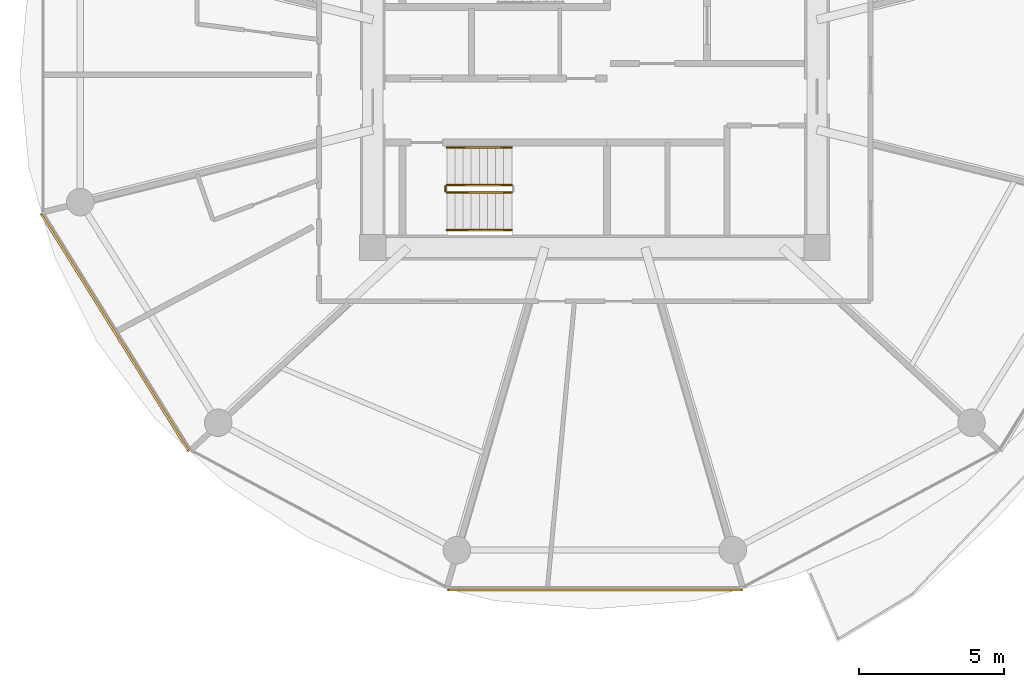
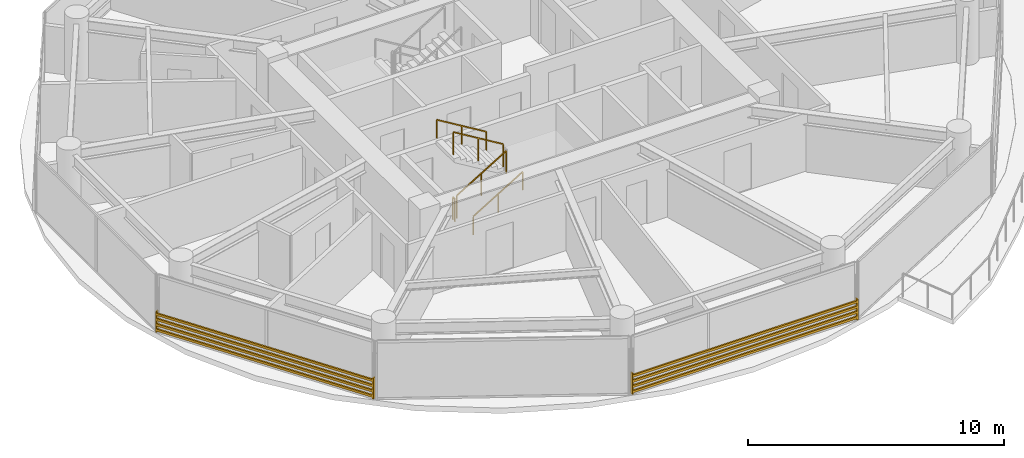
# One storey, part 22 of 27: 5 railings, 2 shading devices.
"""IFC4 building model written with IfcOpenShell, lengths in metres."""

from ifc_helpers import new_model, si_unit, direction, frame, origin, origin_2d, place, context, subcontext, project, spatial, rectangle, extrude, source, transform, mapped, material, type_object, type_shapes, element, save


model = new_model("IFC4")

# Units and contexts
model_context = context("Model", 3, precision=1e-05, world=origin(), true_north=direction((0.0, 1.0)))
body_context = subcontext(model_context, "Body", "Model", "MODEL_VIEW")
ifc_project = project(units=[si_unit("LENGTHUNIT", "METRE"), si_unit("AREAUNIT", "SQUARE_METRE"), si_unit("VOLUMEUNIT", "CUBIC_METRE"), si_unit("PLANEANGLEUNIT", "RADIAN"), si_unit("MASSUNIT", "GRAM", prefix="KILO")], contexts=[model_context])

# Site, building, storey
site_placement = place(None, origin())
site = spatial("IfcSite", under=ifc_project, at=site_placement, CompositionType="ELEMENT")
building_placement = place(site_placement, origin())
building = spatial("IfcBuilding", under=site, at=building_placement, Name="Norrkilde Senior Care Towers", CompositionType="ELEMENT")
storey_placement = place(building_placement, frame((0.0, 0.0, 61.25)))
storey = spatial("IfcBuildingStorey", under=building, at=storey_placement, Name="L18", CompositionType="ELEMENT", Elevation=61.25)

# Railings
ifc_material_1 = material(Name="Stainless Steel", Category="steel")
railing_type_1 = type_object("IfcRailingType", Name="Stair and Terrace Guardrail 1100", PredefinedType="GUARDRAIL", material=ifc_material_1)
railing_1_placement = place(storey_placement, frame((-33.10009765625, -4.050048828125, 0.16943359375)))
element("IfcRailing", 1, at=railing_1_placement, inside=storey, type_object=railing_type_1, Name="L18 ST-W2 stair guard 1", PredefinedType="GUARDRAIL", context=body_context, shape_type="SweptSolid", body=[
    extrude(rectangle(XDim=0.048095703125, YDim=0.048095703125, at=origin_2d()), frame((0.0, 0.0, 1.076171875), z_axis=(0.855553338991, 0.0, 0.51771467445), x_axis=(0.0, 1.0, 0.0)), (0.0, 0.0, 1.0), 2.6181640625),
    extrude(rectangle(XDim=0.0419921875, YDim=0.0419921875, at=origin_2d()), origin(), (0.0, 0.0, 1.0), 1.050048828125),
    extrude(rectangle(XDim=0.0419921875, YDim=0.0419921875, at=origin_2d()), frame((1.1201171875, 0.0, 0.677734375)), (0.0, 0.0, 1.0), 1.050048828125),
    extrude(rectangle(XDim=0.0419921875, YDim=0.0419921875, at=origin_2d()), frame((2.239990234375, 0.0, 1.35546875)), (0.0, 0.0, 1.0), 1.050048828125),
])
railing_2_placement = place(storey_placement, frame((-30.860107421875, -3.800048828125, 1.6943359375)))
element("IfcRailing", 2, at=railing_2_placement, inside=storey, type_object=railing_type_1, Name="L18 ST-W2 stair guard 3", PredefinedType="GUARDRAIL", context=body_context, shape_type="SweptSolid", body=[
    extrude(rectangle(XDim=0.048095703125, YDim=0.048095703125, at=origin_2d()), frame((0.0, 0.0, 1.076171875), z_axis=(-0.855512035549, 0.0, 0.517782924622), x_axis=(0.0, -1.0, 0.0)), (0.0, 0.0, 1.0), 2.618408203125),
    extrude(rectangle(XDim=0.0419921875, YDim=0.0419921875, at=origin_2d()), origin(), (0.0, 0.0, 1.0), 1.050048828125),
    extrude(rectangle(XDim=0.0419921875, YDim=0.0419921875, at=origin_2d()), frame((-1.1201171875, 0.0, 0.677734375)), (0.0, 0.0, 1.0), 1.050048828125),
    extrude(rectangle(XDim=0.0419921875, YDim=0.0419921875, at=origin_2d()), frame((-2.239990234375, 0.0, 1.355712890625)), (0.0, 0.0, 1.0), 1.050048828125),
])
railing_3_placement = place(storey_placement, frame((-33.14990234375, -4.0, 0.0)))
element("IfcRailing", 3, at=railing_3_placement, inside=storey, type_object=railing_type_1, Name="L18 ST-W2 stair guard 4", PredefinedType="GUARDRAIL", context=body_context, shape_type="SweptSolid", body=[
    extrude(rectangle(XDim=0.048095703125, YDim=0.048095703125, at=origin_2d()), frame((0.0, 0.0, 1.076171875), z_axis=(0.0, 1.0, 0.0), x_axis=(-1.0, 0.0, 0.0)), (0.0, 0.0, 1.0), 0.14990234375),
    extrude(rectangle(XDim=0.0419921875, YDim=0.0419921875, at=origin_2d()), origin(), (0.0, 0.0, 1.0), 1.050048828125),
    extrude(rectangle(XDim=0.0419921875, YDim=0.0419921875, at=origin_2d()), frame((0.0, 0.14990234375, 0.0)), (0.0, 0.0, 1.0), 1.050048828125),
])
ifc_material_2 = material(Name="Nordic Ash Timber", Category="wood")
railing_type_2 = type_object("IfcRailingType", Name="Wall and Stair Handrail 900", PredefinedType="HANDRAIL", material=ifc_material_2)
railing_4_placement = place(storey_placement, frame((-33.10009765625, -5.35009765625, 0.16943359375)))
element("IfcRailing", 4, at=railing_4_placement, inside=storey, type_object=railing_type_2, Name="L18 ST-W2 stair handrail 1", PredefinedType="HANDRAIL", context=body_context, shape_type="SweptSolid", body=[
    extrude(rectangle(XDim=0.048095703125, YDim=0.048095703125, at=origin_2d()), frame((0.0, 0.0, 0.8759765625), z_axis=(0.855553338991, 0.0, 0.51771467445), x_axis=(0.0, 1.0, 0.0)), (0.0, 0.0, 1.0), 2.6181640625),
    extrude(rectangle(XDim=0.0419921875, YDim=0.0419921875, at=origin_2d()), origin(), (0.0, 0.0, 1.0), 0.849853515625),
    extrude(rectangle(XDim=0.0419921875, YDim=0.0419921875, at=origin_2d()), frame((1.1201171875, 0.0, 0.677734375)), (0.0, 0.0, 1.0), 0.849853515625),
    extrude(rectangle(XDim=0.0419921875, YDim=0.0419921875, at=origin_2d()), frame((2.239990234375, 0.0, 1.35546875)), (0.0, 0.0, 1.0), 0.849853515625),
])
railing_5_placement = place(storey_placement, frame((-30.860107421875, -2.5, 1.6943359375)))
element("IfcRailing", 5, at=railing_5_placement, inside=storey, type_object=railing_type_2, Name="L18 ST-W2 stair handrail 2", PredefinedType="HANDRAIL", context=body_context, shape_type="SweptSolid", body=[
    extrude(rectangle(XDim=0.048095703125, YDim=0.048095703125, at=origin_2d()), frame((0.0, 0.0, 0.8759765625), z_axis=(-0.855512035549, 0.0, 0.517782924622), x_axis=(0.0, -1.0, 0.0)), (0.0, 0.0, 1.0), 2.618408203125),
    extrude(rectangle(XDim=0.0419921875, YDim=0.0419921875, at=origin_2d()), origin(), (0.0, 0.0, 1.0), 0.849853515625),
    extrude(rectangle(XDim=0.0419921875, YDim=0.0419921875, at=origin_2d()), frame((-1.1201171875, 0.0, 0.677734375)), (0.0, 0.0, 1.0), 0.849853515625),
    extrude(rectangle(XDim=0.0419921875, YDim=0.0419921875, at=origin_2d()), frame((-2.239990234375, 0.0, 1.355712890625)), (0.0, 0.0, 1.0), 0.849853515625),
])

# Shading devices
ifc_material_3 = material(Name="Architectural Terracotta", Category="masonry")
shading_device_type = type_object("IfcShadingDeviceType", Name="Horizontal Terracotta Baguette Rack", PredefinedType="USERDEFINED", material=ifc_material_3)
shared_shape_1 = source(origin(), body_context, "Body", "SweptSolid", [
    extrude(rectangle(XDim=0.070068359375, YDim=0.110107421875, at=origin_2d()), frame((0.0, 0.090087890625, 0.125), z_axis=(1.0, 0.0, 0.0), x_axis=(0.0, 1.0, 0.0)), (0.0, 0.0, 1.0), 9.64892578125),
    extrude(rectangle(XDim=0.070068359375, YDim=0.110107421875, at=origin_2d()), frame((0.0, 0.090087890625, 0.375), z_axis=(1.0, 0.0, 0.0), x_axis=(0.0, 1.0, 0.0)), (0.0, 0.0, 1.0), 9.64892578125),
    extrude(rectangle(XDim=0.070068359375, YDim=0.110107421875, at=origin_2d()), frame((0.0, 0.090087890625, 0.625), z_axis=(1.0, 0.0, 0.0), x_axis=(0.0, 1.0, 0.0)), (0.0, 0.0, 1.0), 9.64892578125),
    extrude(rectangle(XDim=0.070068359375, YDim=0.110107421875, at=origin_2d()), frame((0.0, 0.090087890625, 0.875), z_axis=(1.0, 0.0, 0.0), x_axis=(0.0, 1.0, 0.0)), (0.0, 0.0, 1.0), 9.64892578125),
    extrude(rectangle(XDim=0.050048828125, YDim=0.1552734375, at=origin_2d()), frame((0.02490234375, 0.047607421875, 0.0)), (0.0, 0.0, 1.0), 1.0),
    extrude(rectangle(XDim=0.050048828125, YDim=0.1552734375, at=origin_2d()), frame((9.6240234375, 0.047607421875, 0.0)), (0.0, 0.0, 1.0), 1.0),
])
shading_device_1_placement = place(storey_placement, frame((-41.915771484375, -12.926025390625, 0.080078125), z_axis=(0.0, 0.0, 1.0), x_axis=(-0.527908506655, 0.849299124538, 0.0)))
element("IfcShadingDevice", 6, at=shading_device_1_placement, inside=storey, type_object=shading_device_type, Name="L18 Drum W Terracotta Baguette Screen 06", ObjectType="BAGUETTE", PredefinedType="USERDEFINED", context=body_context, shape_type="MappedRepresentation", body=[
    mapped(shared_shape_1, transform((0.0, 0.0, 0.0), x_axis=(1.0, 0.0, 0.0), y_axis=(0.0, 1.0, 0.0), z_axis=(0.0, 0.0, 1.0), scale=1.0)),
])
shared_shape_2 = source(origin(), body_context, "Body", "SweptSolid", [
    extrude(rectangle(XDim=0.070068359375, YDim=0.110107421875, at=origin_2d()), frame((0.0, 0.090087890625, 0.125), z_axis=(1.0, 0.0, 0.0), x_axis=(0.0, 1.0, 0.0)), (0.0, 0.0, 1.0), 10.18701171875),
    extrude(rectangle(XDim=0.070068359375, YDim=0.110107421875, at=origin_2d()), frame((0.0, 0.090087890625, 0.375), z_axis=(1.0, 0.0, 0.0), x_axis=(0.0, 1.0, 0.0)), (0.0, 0.0, 1.0), 10.18701171875),
    extrude(rectangle(XDim=0.070068359375, YDim=0.110107421875, at=origin_2d()), frame((0.0, 0.090087890625, 0.625), z_axis=(1.0, 0.0, 0.0), x_axis=(0.0, 1.0, 0.0)), (0.0, 0.0, 1.0), 10.18701171875),
    extrude(rectangle(XDim=0.070068359375, YDim=0.110107421875, at=origin_2d()), frame((0.0, 0.090087890625, 0.875), z_axis=(1.0, 0.0, 0.0), x_axis=(0.0, 1.0, 0.0)), (0.0, 0.0, 1.0), 10.18701171875),
    extrude(rectangle(XDim=0.050048828125, YDim=0.1552734375, at=origin_2d()), frame((0.02490234375, 0.047607421875, 0.0)), (0.0, 0.0, 1.0), 1.0),
    extrude(rectangle(XDim=0.050048828125, YDim=0.1552734375, at=origin_2d()), frame((10.162109375, 0.047607421875, 0.0)), (0.0, 0.0, 1.0), 1.0),
])
type_shapes(shading_device_type, [shared_shape_1, shared_shape_2])
shading_device_2_placement = place(storey_placement, frame((-22.906494140625, -17.6572265625, 0.080078125), z_axis=(0.0, 0.0, 1.0), x_axis=(-1.0, 0.0, 0.0)))
element("IfcShadingDevice", 7, at=shading_device_2_placement, inside=storey, type_object=shading_device_type, Name="L18 Drum W Terracotta Baguette Screen 08", ObjectType="BAGUETTE", PredefinedType="USERDEFINED", context=body_context, shape_type="MappedRepresentation", body=[
    mapped(shared_shape_2, transform((0.0, 0.0, 0.0), x_axis=(1.0, 0.0, 0.0), y_axis=(0.0, 1.0, 0.0), z_axis=(0.0, 0.0, 1.0), scale=1.0)),
])

save(model, "model.ifc")
